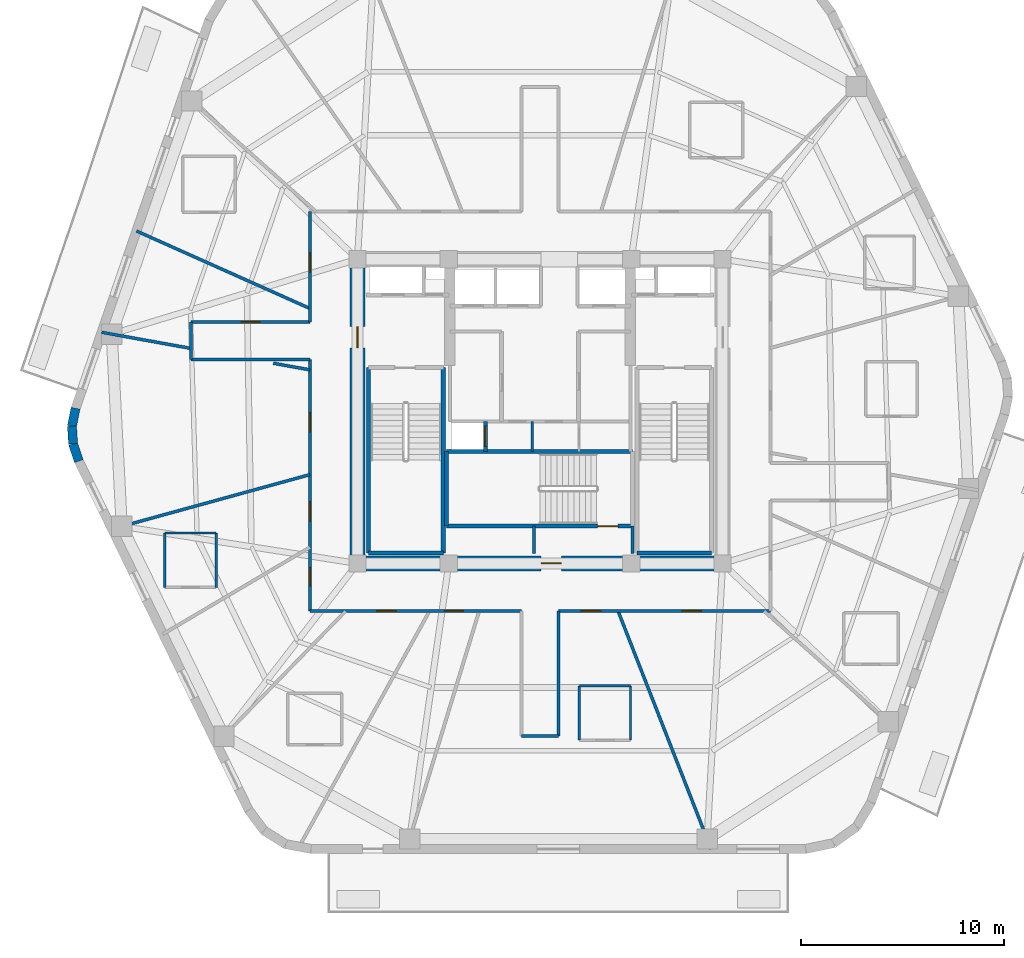
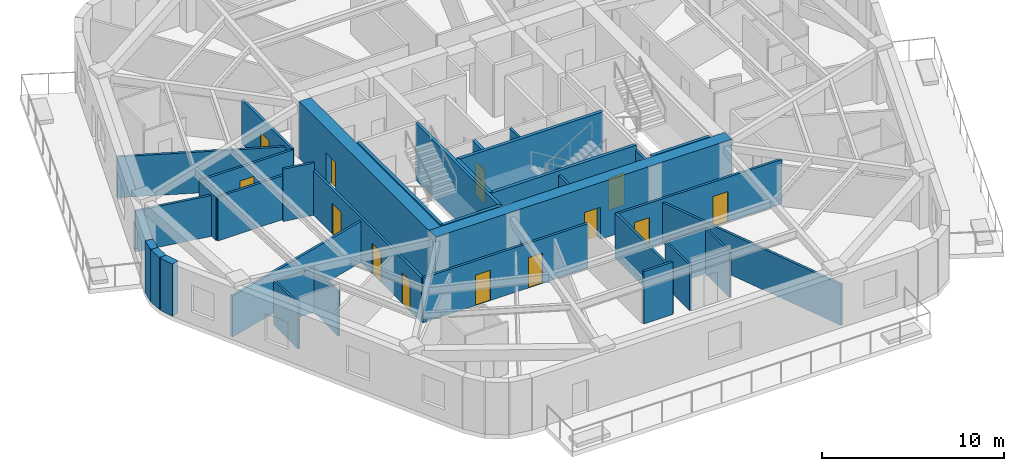
# One storey, part 3 of 9: 36 walls, 13 doors, 13 openings.
"""IFC4 building model written with IfcOpenShell, lengths in metres."""

import ifcopenshell
import ifcopenshell.guid

model = None  # the IFC model being written
_history = None  # IfcOwnerHistory: only IFC2X3 demands one
_inside = {}  # id of a spatial element -> (the spatial element, [elements in it])
_under = {}  # id of a project, library or spatial element -> (it, [spatial elements below it])
_declared = {}  # id of a project -> (the project, [libraries it declares])
_typed = {}  # id of a type object -> (the type object, [elements of that type])
_made_of = {}  # id of a material, layer set ... -> (it, [elements and type objects made of it])


def new_model(schema):
    """Start an empty IFC model of exactly this schema.

    Asked for "IFC4X3", IfcOpenShell would pick the latest addendum, in which some entities
    have other attributes; the version numbers below select the first issue.
    IFC2X3 requires an IfcOwnerHistory on every rooted entity: one is made here for all.
    """
    global model, _history
    if schema == "IFC4X3":
        model = ifcopenshell.file(schema_version=(4, 3, 0, 0))
    else:
        model = ifcopenshell.file(schema=schema)
    _inside.clear()
    _under.clear()
    _declared.clear()
    _typed.clear()
    _made_of.clear()
    _history = None
    if model.schema == "IFC2X3":
        org = make("IfcOrganization", Name="unknown")
        user = make(
            "IfcPersonAndOrganization",
            ThePerson=make("IfcPerson", FamilyName="unknown"),
            TheOrganization=org,
        )
        app = make(
            "IfcApplication",
            ApplicationDeveloper=org,
            Version="unknown",
            ApplicationFullName="unknown",
            ApplicationIdentifier="unknown",
        )
        _history = make(
            "IfcOwnerHistory",
            OwningUser=user,
            OwningApplication=app,
            ChangeAction="ADDED",
            CreationDate=0,
        )
    return model


def make(cls, **values):
    """One entity of the class cls with the attributes given. An attribute that is None is left unset."""
    return model.create_entity(
        cls, **{name: value for name, value in values.items() if value is not None}
    )


def rooted(cls, **values):
    """An entity with a GlobalId (a new one), such as an element, a storey or a relation."""
    return make(cls, GlobalId=ifcopenshell.guid.new(), OwnerHistory=_history, **values)


def si_unit(unit_type, name, prefix=None):
    """IfcSIUnit, for example si_unit("LENGTHUNIT", "METRE", prefix="MILLI")."""
    return make("IfcSIUnit", UnitType=unit_type, Prefix=prefix, Name=name)


def assignment(units):
    """IfcUnitAssignment: the units of a project."""
    return None if units is None else make("IfcUnitAssignment", Units=units)


def point(xyz):
    """IfcCartesianPoint."""
    return None if xyz is None else make("IfcCartesianPoint", Coordinates=xyz)


def direction(xyz):
    """IfcDirection."""
    return None if xyz is None else make("IfcDirection", DirectionRatios=xyz)


def frame(location, z_axis=None, x_axis=None):
    """IfcAxis2Placement3D, a coordinate frame: its origin and axes. An axis left out is left unset."""
    return make(
        "IfcAxis2Placement3D",
        Location=point(location),
        Axis=direction(z_axis),
        RefDirection=direction(x_axis),
    )


def frame_2d(location, x_axis=None):
    """IfcAxis2Placement2D, a coordinate frame in the plane: its origin and x axis."""
    return make(
        "IfcAxis2Placement2D", Location=point(location), RefDirection=direction(x_axis)
    )


def origin():
    """The frame at (0, 0, 0) with its axes left unset."""
    return frame((0.0, 0.0, 0.0))


def place(relative_to, where):
    """IfcLocalPlacement: puts the frame where relative to a parent placement (None: the world)."""
    return make(
        "IfcLocalPlacement", PlacementRelTo=relative_to, RelativePlacement=where
    )


def context(
    kind, dimensions, precision=None, world=None, true_north=None, identifier=None
):
    """IfcGeometricRepresentationContext, for example the 3D "Model" context."""
    return make(
        "IfcGeometricRepresentationContext",
        ContextIdentifier=identifier,
        ContextType=kind,
        CoordinateSpaceDimension=dimensions,
        Precision=precision,
        WorldCoordinateSystem=world,
        TrueNorth=true_north,
    )


def subcontext(parent, identifier, kind, view, scale=None):
    """IfcGeometricRepresentationSubContext, for example "Body" below "Model"."""
    return make(
        "IfcGeometricRepresentationSubContext",
        ContextIdentifier=identifier,
        ContextType=kind,
        ParentContext=parent,
        TargetScale=scale,
        TargetView=view,
    )


def project(units=None, contexts=None):
    """IfcProject with its units and contexts."""
    return rooted(
        "IfcProject",
        Name="project",
        RepresentationContexts=contexts,
        UnitsInContext=assignment(units),
    )


def spatial(cls, under=None, at=None, **own):
    """A site, building, storey or space (cls), placed at a placement, below another one or the project."""
    s = rooted(cls, ObjectPlacement=at, **own)
    if under is not None:
        _under.setdefault(under.id(), (under, []))[1].append(s)
    return s


def profile(cls, at=None, kind="AREA", **sizes):
    """A parametric profile (cls). Its sizes go by their IFC names, for example OverallWidth=200.0."""
    return make(cls, ProfileType=kind, Position=at, **sizes)


def rectangle(**sizes):
    """IfcRectangleProfileDef."""
    return profile("IfcRectangleProfileDef", **sizes)


def extrude(swept, where, along, depth):
    """IfcExtrudedAreaSolid: the profile swept, set in the frame where, extruded along a direction by depth."""
    return make(
        "IfcExtrudedAreaSolid",
        SweptArea=swept,
        Position=where,
        ExtrudedDirection=direction(along),
        Depth=depth,
    )


def shape(context_of_items, identifier, shape_type, items):
    """IfcShapeRepresentation: the items that make up one representation, for example the "Body"."""
    return make(
        "IfcShapeRepresentation",
        ContextOfItems=context_of_items,
        RepresentationIdentifier=identifier,
        RepresentationType=shape_type,
        Items=items,
    )


def material(Name=None, Category=None):
    """IfcMaterial."""
    return make("IfcMaterial", Name=Name, Category=Category)


def layer(
    of_material, thickness, ventilated=None, Name=None, Category=None, Priority=None
):
    """IfcMaterialLayer: one layer of a wall or slab, of a material (None: an air gap)."""
    return make(
        "IfcMaterialLayer",
        Material=of_material,
        LayerThickness=thickness,
        IsVentilated=ventilated,
        Name=Name,
        Category=Category,
        Priority=Priority,
    )


def layer_set(layers, Name=None):
    """IfcMaterialLayerSet."""
    return make("IfcMaterialLayerSet", MaterialLayers=layers, LayerSetName=Name)


def made_of(thing, what):
    """Note that an element or type object is made of a material, layer set ...; save() writes the relation."""
    if what is not None:
        _made_of.setdefault(what.id(), (what, []))[1].append(thing)
    return thing


def type_object(cls, material=None, **own):
    """A type object (cls), such as IfcWallType, which elements share."""
    return made_of(rooted(cls, **own), material)


def element(
    cls,
    number,
    at=None,
    inside=None,
    cuts=None,
    type_object=None,
    material=None,
    context=None,
    identifier="Body",
    shape_type=None,
    held_by="IfcProductDefinitionShape",
    body=None,
    shapes=None,
    **own,
):
    """One element of the class cls, such as IfcWall. Its Tag is "e" and its number.

    at: its placement. inside: the storey or other place that contains it. cuts: it is an
    opening in that element (IfcRelVoidsElement). A single representation is given by context,
    identifier, shape_type and body (its items); several are given by shapes. held_by: the class
    of the entity that holds the representations. save() writes the other relations.
    """
    e = rooted(cls, Tag="e%d" % number, ObjectPlacement=at, **own)
    if body is not None:
        shapes = [shape(context, identifier, shape_type, body)]
    if shapes is not None:
        e.Representation = make(held_by, Representations=shapes)
    if inside is not None:
        _inside.setdefault(inside.id(), (inside, []))[1].append(e)
    if cuts is not None:
        rooted(
            "IfcRelVoidsElement", RelatingBuildingElement=cuts, RelatedOpeningElement=e
        )
    if type_object is not None:
        _typed.setdefault(type_object.id(), (type_object, []))[1].append(e)
    return made_of(e, material)


def fill(opening, filler):
    """IfcRelFillsElement: the door or window that sits in an opening."""
    return rooted(
        "IfcRelFillsElement",
        RelatingOpeningElement=opening,
        RelatedBuildingElement=filler,
    )


def aggregate(whole, parts):
    """IfcRelAggregates: a whole, such as a stair, and the parts it consists of."""
    return rooted("IfcRelAggregates", RelatingObject=whole, RelatedObjects=parts)


def save(model, path):
    """Write the relations noted so far, then the file.

    IfcRelAggregates (storeys below a building ...), IfcRelContainedInSpatialStructure (elements
    in a storey), IfcRelDefinesByType, IfcRelAssociatesMaterial and IfcRelDeclares: one each for
    every whole, place, type object, material and project.
    """
    for whole, parts in _under.values():
        aggregate(whole, parts)
    for where, things in _inside.values():
        rooted(
            "IfcRelContainedInSpatialStructure",
            RelatedElements=things,
            RelatingStructure=where,
        )
    for kind, things in _typed.values():
        rooted("IfcRelDefinesByType", RelatedObjects=things, RelatingType=kind)
    for what, things in _made_of.values():
        rooted("IfcRelAssociatesMaterial", RelatedObjects=things, RelatingMaterial=what)
    for by, libraries in _declared.values():
        rooted("IfcRelDeclares", RelatingContext=by, RelatedDefinitions=libraries)
    model.write(path)


model = new_model("IFC4")

# Units and contexts
model_context = context("Model", 3, precision=1e-05, world=origin(), true_north=direction((0.0, 1.0)))
body_context = subcontext(model_context, "Body", "Model", "MODEL_VIEW")
ifc_project = project(units=[si_unit("LENGTHUNIT", "METRE"), si_unit("AREAUNIT", "SQUARE_METRE"), si_unit("VOLUMEUNIT", "CUBIC_METRE"), si_unit("PLANEANGLEUNIT", "RADIAN"), si_unit("MASSUNIT", "GRAM", prefix="KILO")], contexts=[model_context])

# Site, building, storey
site_placement = place(None, origin())
site = spatial("IfcSite", under=ifc_project, at=site_placement, CompositionType="ELEMENT")
building_placement = place(site_placement, origin())
building = spatial("IfcBuilding", under=site, at=building_placement, Name="Kilnhurst Terrace Hotel", CompositionType="ELEMENT")
storey_placement = place(building_placement, frame((0.0, 0.0, 221.699951171875)))
storey = spatial("IfcBuildingStorey", under=building, at=storey_placement, Name="L55", CompositionType="ELEMENT", Elevation=221.699951171875)

# Walls
ifc_material_1 = material(Name="Precast concrete C40/50", Category="concrete")
ifc_layer_1 = layer(ifc_material_1, 0.449951171875, Name="Precast concrete C40/50")
ifc_layer_set_1 = layer_set([ifc_layer_1], Name="Precast concrete C40/50")
wall_type_1 = type_object("IfcWallType", Name="WL-BRK-450", PredefinedType="SOLIDWALL", material=ifc_layer_set_1)
wall_1_placement = place(storey_placement, frame((-22.8984375, 0.149658203125, 0.0), z_axis=(0.0, 0.0, 1.0), x_axis=(-0.199055826889, -0.979988151858, 0.0)))
element("IfcWall", 1, at=wall_1_placement, inside=storey, type_object=wall_type_1, Name="L55 Rounded Corner Brick Wall C6.1", PredefinedType="SOLIDWALL", context=body_context, shape_type="SweptSolid", body=[
    extrude(rectangle(XDim=0.89404296875, YDim=0.449951171875, at=frame_2d((0.447021484375, 0.0))), origin(), (0.0, 0.0, 1.0), 3.5),
])
wall_2_placement = place(storey_placement, frame((-23.076416015625, -0.7265625, 0.0), z_axis=(0.0, 0.0, 1.0), x_axis=(0.060805222108, -0.998149650586, 0.0)))
element("IfcWall", 2, at=wall_2_placement, inside=storey, type_object=wall_type_1, Name="L55 Rounded Corner Brick Wall C6.2", PredefinedType="SOLIDWALL", context=body_context, shape_type="SweptSolid", body=[
    extrude(rectangle(XDim=0.87939453125, YDim=0.449951171875, at=frame_2d((0.439697265625, 0.0))), origin(), (0.0, 0.0, 1.0), 3.5),
])
wall_3_placement = place(storey_placement, frame((-23.02294921875, -1.604248046875, 0.0), z_axis=(0.0, 0.0, 1.0), x_axis=(0.316801227695, -0.948491951537, 0.0)))
element("IfcWall", 3, at=wall_3_placement, inside=storey, type_object=wall_type_1, Name="L55 Rounded Corner Brick Wall C6.3", PredefinedType="SOLIDWALL", context=body_context, shape_type="SweptSolid", body=[
    extrude(rectangle(XDim=0.89404296875, YDim=0.449951171875, at=frame_2d((0.447021484375, 0.0))), origin(), (0.0, 0.0, 1.0), 3.5),
])

# Wall, openings, doors
ifc_material_2 = material(Name="Acoustic Double-Gypsum Corridor Partition Assembly")
ifc_layer_2 = layer(ifc_material_2, 0.14990234375, Name="Acoustic Double-Gypsum Corridor Partition Assembly")
ifc_layer_set_2 = layer_set([ifc_layer_2], Name="Acoustic Double-Gypsum Corridor Partition Assembly")
wall_type_2 = type_object("IfcWallType", Name="WL-COR-150", PredefinedType="PARTITIONING", material=ifc_layer_set_2)
wall_4_placement = place(storey_placement, frame((-11.35009765625, -9.85009765625, 0.0), z_axis=(0.0, 0.0, 1.0), x_axis=(0.0, 1.0, 0.0)))
wall_4 = element("IfcWall", 4, at=wall_4_placement, inside=storey, type_object=wall_type_2, Name="L55 Interior Wall WL-L55-COR-01", PredefinedType="PARTITIONING", context=body_context, shape_type="SweptSolid", body=[
    extrude(rectangle(XDim=12.400146484375, YDim=0.14990234375, at=frame_2d((6.2001953125, 0.0))), origin(), (0.0, 0.0, 1.0), 2.989990234375),
])
opening_1_placement = place(wall_4_placement, frame((8.8349609375, 0.0, 0.0)))
opening_1 = element("IfcOpeningElement", 5, at=opening_1_placement, cuts=wall_4, Name="Opening D-60B", PredefinedType="OPENING", context=body_context, shape_type="SweptSolid", body=[
    extrude(rectangle(XDim=0.949951171875, YDim=2.030029296875, at=frame_2d((0.47509765625, 1.01513671875))), frame((0.0, 0.0849609375, 0.0), z_axis=(0.0, -1.0, 0.0), x_axis=(1.0, 0.0, 0.0)), (0.0, 0.0, 1.0), 0.169921875),
])
opening_2_placement = place(wall_4_placement, frame((4.443115234375, 0.0, 0.0)))
opening_2 = element("IfcOpeningElement", 6, at=opening_2_placement, cuts=wall_4, Name="Opening D-60B", PredefinedType="OPENING", context=body_context, shape_type="SweptSolid", body=[
    extrude(rectangle(XDim=0.949951171875, YDim=2.030029296875, at=frame_2d((0.47509765625, 1.01513671875))), frame((0.0, 0.0849609375, 0.0), z_axis=(0.0, -1.0, 0.0), x_axis=(1.0, 0.0, 0.0)), (0.0, 0.0, 1.0), 0.169921875),
])
opening_3_placement = place(wall_4_placement, frame((1.241943359375, 0.0, 0.0)))
opening_3 = element("IfcOpeningElement", 7, at=opening_3_placement, cuts=wall_4, Name="Opening D-60C", PredefinedType="OPENING", context=body_context, shape_type="SweptSolid", body=[
    extrude(rectangle(XDim=0.89990234375, YDim=2.030029296875, at=frame_2d((0.449951171875, 1.01513671875))), frame((0.0, 0.0849609375, 0.0), z_axis=(0.0, -1.0, 0.0), x_axis=(1.0, 0.0, 0.0)), (0.0, 0.0, 1.0), 0.169921875),
])
ifc_material_3 = material(Name="Painted Solid-Core Service Fire Door")
door_type_1 = type_object("IfcDoorType", Name="DR-FD60-900", OperationType="NOTDEFINED", PredefinedType="DOOR", material=ifc_material_3)
door_1_placement = place(opening_3_placement, origin())
door_1 = element("IfcDoor", 8, at=door_1_placement, inside=storey, type_object=door_type_1, Name="L55 Private Tasting Dining Room Door 11", OperationType="SINGLE_SWING_LEFT", OverallHeight=2.030029296875, OverallWidth=0.89990234375, PredefinedType="DOOR", context=body_context, shape_type="SweptSolid", body=[
    extrude(rectangle(XDim=0.89990234375, YDim=2.030029296875, at=frame_2d((0.449951171875, 1.01513671875))), frame((0.0, 0.02490234375, 0.0), z_axis=(0.0, -1.0, 0.0), x_axis=(1.0, 0.0, 0.0)), (0.0, 0.0, 1.0), 0.050048828125),
])
fill(opening_3, door_1)
ifc_material_4 = material(Name="Acoustic Walnut Veneer Solid-Core Fire Door")
door_type_2 = type_object("IfcDoorType", Name="DR-FD60-950", OperationType="NOTDEFINED", PredefinedType="DOOR", material=ifc_material_4)
door_2_placement = place(opening_1_placement, origin())
door_2 = element("IfcDoor", 9, at=door_2_placement, inside=storey, type_object=door_type_2, Name="L55 Fitness Studio Door", OperationType="SINGLE_SWING_LEFT", OverallHeight=2.030029296875, OverallWidth=0.949951171875, PredefinedType="DOOR", context=body_context, shape_type="SweptSolid", body=[
    extrude(rectangle(XDim=0.949951171875, YDim=2.030029296875, at=frame_2d((0.47509765625, 1.01513671875))), frame((0.0, 0.02490234375, 0.0), z_axis=(0.0, -1.0, 0.0), x_axis=(1.0, 0.0, 0.0)), (0.0, 0.0, 1.0), 0.050048828125),
])
fill(opening_1, door_2)
door_3_placement = place(opening_2_placement, origin())
door_3 = element("IfcDoor", 10, at=door_3_placement, inside=storey, type_object=door_type_2, Name="L55 Guest Room Entry Door 10", OperationType="SINGLE_SWING_RIGHT", OverallHeight=2.030029296875, OverallWidth=0.949951171875, PredefinedType="DOOR", context=body_context, shape_type="SweptSolid", body=[
    extrude(rectangle(XDim=0.949951171875, YDim=2.030029296875, at=frame_2d((0.47509765625, 1.01513671875))), frame((0.0, 0.02490234375, 0.0), z_axis=(0.0, -1.0, 0.0), x_axis=(1.0, 0.0, 0.0)), (0.0, 0.0, 1.0), 0.050048828125),
])
fill(opening_2, door_3)

# Walls
wall_5_placement = place(storey_placement, frame((-11.35009765625, 2.550048828125, 0.0), z_axis=(0.0, 0.0, 1.0), x_axis=(-1.0, 0.0, 0.0)))
element("IfcWall", 11, at=wall_5_placement, inside=storey, type_object=wall_type_2, Name="L55 Interior Wall WL-L55-COR-02", PredefinedType="PARTITIONING", context=body_context, shape_type="SweptSolid", body=[
    extrude(rectangle(XDim=5.849853515625, YDim=0.14990234375, at=frame_2d((2.9248046875, 0.0))), origin(), (0.0, 0.0, 1.0), 2.9404296875),
])
wall_6_placement = place(storey_placement, frame((-17.199951171875, 2.550048828125, 0.0), z_axis=(0.0, 0.0, 1.0), x_axis=(0.0, 1.0, 0.0)))
element("IfcWall", 12, at=wall_6_placement, inside=storey, type_object=wall_type_2, Name="L55 Interior Wall WL-L55-COR-03", PredefinedType="PARTITIONING", context=body_context, shape_type="SweptSolid", body=[
    extrude(rectangle(XDim=1.849853515625, YDim=0.14990234375, at=frame_2d((0.9248046875, 0.0))), origin(), (0.0, 0.0, 1.0), 2.9404296875),
])

# Wall, opening, door
wall_7_placement = place(storey_placement, frame((-17.199951171875, 4.39990234375, 0.0), z_axis=(0.0, 0.0, 1.0), x_axis=(1.0, 0.0, 0.0)))
wall_7 = element("IfcWall", 13, at=wall_7_placement, inside=storey, type_object=wall_type_2, Name="L55 Interior Wall WL-L55-COR-04", PredefinedType="PARTITIONING", context=body_context, shape_type="SweptSolid", body=[
    extrude(rectangle(XDim=5.849853515625, YDim=0.14990234375, at=frame_2d((2.9248046875, 0.0))), origin(), (0.0, 0.0, 1.0), 2.9404296875),
])
opening_4_placement = place(wall_7_placement, frame((2.47509765625, 0.0, 0.0)))
opening_4 = element("IfcOpeningElement", 14, at=opening_4_placement, cuts=wall_7, Name="Opening D-60C", PredefinedType="OPENING", context=body_context, shape_type="SweptSolid", body=[
    extrude(rectangle(XDim=0.89990234375, YDim=2.030029296875, at=frame_2d((0.449951171875, 1.01513671875))), frame((0.0, 0.0849609375, 0.0), z_axis=(0.0, -1.0, 0.0), x_axis=(1.0, 0.0, 0.0)), (0.0, 0.0, 1.0), 0.169921875),
])
door_4_placement = place(opening_4_placement, origin())
door_4 = element("IfcDoor", 15, at=door_4_placement, inside=storey, type_object=door_type_1, Name="L55 Wellness Consultation Room Door 8", OperationType="SINGLE_SWING_RIGHT", OverallHeight=2.030029296875, OverallWidth=0.89990234375, PredefinedType="DOOR", context=body_context, shape_type="SweptSolid", body=[
    extrude(rectangle(XDim=0.89990234375, YDim=2.030029296875, at=frame_2d((0.449951171875, 1.01513671875))), frame((0.0, 0.02490234375, 0.0), z_axis=(0.0, -1.0, 0.0), x_axis=(1.0, 0.0, 0.0)), (0.0, 0.0, 1.0), 0.050048828125),
])
fill(opening_4, door_4)

wall_8_placement = place(storey_placement, frame((-11.35009765625, 4.39990234375, 0.0), z_axis=(0.0, 0.0, 1.0), x_axis=(0.0, 1.0, 0.0)))
wall_8 = element("IfcWall", 16, at=wall_8_placement, inside=storey, type_object=wall_type_2, Name="L55 Interior Wall WL-L55-COR-05", PredefinedType="PARTITIONING", context=body_context, shape_type="SweptSolid", body=[
    extrude(rectangle(XDim=5.4501953125, YDim=0.14990234375, at=frame_2d((2.72509765625, 0.0))), origin(), (0.0, 0.0, 1.0), 2.989990234375),
])
opening_5_placement = place(wall_8_placement, frame((2.466064453125, 0.0, 0.0)))
opening_5 = element("IfcOpeningElement", 17, at=opening_5_placement, cuts=wall_8, Name="Opening D-60B", PredefinedType="OPENING", context=body_context, shape_type="SweptSolid", body=[
    extrude(rectangle(XDim=0.949951171875, YDim=2.030029296875, at=frame_2d((0.47509765625, 1.01513671875))), frame((0.0, 0.0849609375, 0.0), z_axis=(0.0, -1.0, 0.0), x_axis=(1.0, 0.0, 0.0)), (0.0, 0.0, 1.0), 0.169921875),
])
door_5_placement = place(opening_5_placement, origin())
door_5 = element("IfcDoor", 18, at=door_5_placement, inside=storey, type_object=door_type_2, Name="L55 Guest Room Entry Door 7", OperationType="SINGLE_SWING_LEFT", OverallHeight=2.030029296875, OverallWidth=0.949951171875, PredefinedType="DOOR", context=body_context, shape_type="SweptSolid", body=[
    extrude(rectangle(XDim=0.949951171875, YDim=2.030029296875, at=frame_2d((0.47509765625, 1.01513671875))), frame((0.0, 0.02490234375, 0.0), z_axis=(0.0, -1.0, 0.0), x_axis=(1.0, 0.0, 0.0)), (0.0, 0.0, 1.0), 0.050048828125),
])
fill(opening_5, door_5)

# Wall, openings, doors
wall_9_placement = place(storey_placement, frame((11.35009765625, -9.85009765625, 0.0), z_axis=(0.0, 0.0, 1.0), x_axis=(-1.0, 0.0, 0.0)))
wall_9 = element("IfcWall", 19, at=wall_9_placement, inside=storey, type_object=wall_type_2, Name="L55 Interior Wall WL-L55-COR-16", PredefinedType="PARTITIONING", context=body_context, shape_type="SweptSolid", body=[
    extrude(rectangle(XDim=10.43017578125, YDim=0.14990234375, at=frame_2d((5.215087890625, 0.0))), origin(), (0.0, 0.0, 1.0), 2.989990234375),
])
opening_6_placement = place(wall_9_placement, frame((8.362060546875, 0.0, 0.0)))
opening_6 = element("IfcOpeningElement", 20, at=opening_6_placement, cuts=wall_9, Name="Opening D-60B", PredefinedType="OPENING", context=body_context, shape_type="SweptSolid", body=[
    extrude(rectangle(XDim=0.949951171875, YDim=2.030029296875, at=frame_2d((0.47509765625, 1.01513671875))), frame((0.0, 0.0849609375, 0.0), z_axis=(0.0, -1.0, 0.0), x_axis=(1.0, 0.0, 0.0)), (0.0, 0.0, 1.0), 0.169921875),
])
opening_7_placement = place(wall_9_placement, frame((3.39599609375, 0.0, 0.0)))
opening_7 = element("IfcOpeningElement", 21, at=opening_7_placement, cuts=wall_9, Name="Opening D-60B", PredefinedType="OPENING", context=body_context, shape_type="SweptSolid", body=[
    extrude(rectangle(XDim=0.949951171875, YDim=2.030029296875, at=frame_2d((0.47509765625, 1.01513671875))), frame((0.0, 0.0849609375, 0.0), z_axis=(0.0, -1.0, 0.0), x_axis=(1.0, 0.0, 0.0)), (0.0, 0.0, 1.0), 0.169921875),
])
door_6_placement = place(opening_6_placement, origin())
door_6 = element("IfcDoor", 22, at=door_6_placement, inside=storey, type_object=door_type_2, Name="L55 Executive Suite Entry Door 14", OperationType="SINGLE_SWING_RIGHT", OverallHeight=2.030029296875, OverallWidth=0.949951171875, PredefinedType="DOOR", context=body_context, shape_type="SweptSolid", body=[
    extrude(rectangle(XDim=0.949951171875, YDim=2.030029296875, at=frame_2d((0.47509765625, 1.01513671875))), frame((0.0, 0.02490234375, 0.0), z_axis=(0.0, -1.0, 0.0), x_axis=(1.0, 0.0, 0.0)), (0.0, 0.0, 1.0), 0.050048828125),
])
fill(opening_6, door_6)
door_7_placement = place(opening_7_placement, origin())
door_7 = element("IfcDoor", 23, at=door_7_placement, inside=storey, type_object=door_type_2, Name="L55 Reading Study Door", OperationType="SINGLE_SWING_LEFT", OverallHeight=2.030029296875, OverallWidth=0.949951171875, PredefinedType="DOOR", context=body_context, shape_type="SweptSolid", body=[
    extrude(rectangle(XDim=0.949951171875, YDim=2.030029296875, at=frame_2d((0.47509765625, 1.01513671875))), frame((0.0, 0.02490234375, 0.0), z_axis=(0.0, -1.0, 0.0), x_axis=(1.0, 0.0, 0.0)), (0.0, 0.0, 1.0), 0.050048828125),
])
fill(opening_7, door_7)

# Walls
wall_10_placement = place(storey_placement, frame((0.919921875, -9.85009765625, 0.0), z_axis=(0.0, 0.0, 1.0), x_axis=(0.0, -1.0, 0.0)))
element("IfcWall", 24, at=wall_10_placement, inside=storey, type_object=wall_type_2, Name="L55 Interior Wall WL-L55-COR-17", PredefinedType="PARTITIONING", context=body_context, shape_type="SweptSolid", body=[
    extrude(rectangle(XDim=6.14990234375, YDim=0.14990234375, at=frame_2d((3.074951171875, 0.0))), origin(), (0.0, 0.0, 1.0), 3.026611328125),
])
wall_11_placement = place(storey_placement, frame((0.919921875, -16.0, 0.0), z_axis=(0.0, 0.0, 1.0), x_axis=(-1.0, 0.0, 0.0)))
element("IfcWall", 25, at=wall_11_placement, inside=storey, type_object=wall_type_2, Name="L55 Interior Wall WL-L55-COR-18", PredefinedType="PARTITIONING", context=body_context, shape_type="SweptSolid", body=[
    extrude(rectangle(XDim=1.83984375, YDim=0.14990234375, at=frame_2d((0.919921875, 0.0))), origin(), (0.0, 0.0, 1.0), 3.5),
])

# Wall, openings, doors
wall_12_placement = place(storey_placement, frame((-0.919921875, -9.85009765625, 0.0), z_axis=(0.0, 0.0, 1.0), x_axis=(-1.0, 0.0, 0.0)))
wall_12 = element("IfcWall", 26, at=wall_12_placement, inside=storey, type_object=wall_type_2, Name="L55 Interior Wall WL-L55-COR-20", PredefinedType="PARTITIONING", context=body_context, shape_type="SweptSolid", body=[
    extrude(rectangle(XDim=10.43017578125, YDim=0.14990234375, at=frame_2d((5.215087890625, 0.0))), origin(), (0.0, 0.0, 1.0), 2.989990234375),
])
opening_8_placement = place(wall_12_placement, frame((6.172119140625, 0.0, 0.0)))
opening_8 = element("IfcOpeningElement", 27, at=opening_8_placement, cuts=wall_12, Name="Opening D-60B", PredefinedType="OPENING", context=body_context, shape_type="SweptSolid", body=[
    extrude(rectangle(XDim=0.949951171875, YDim=2.030029296875, at=frame_2d((0.47509765625, 1.01513671875))), frame((0.0, 0.0849609375, 0.0), z_axis=(0.0, -1.0, 0.0), x_axis=(1.0, 0.0, 0.0)), (0.0, 0.0, 1.0), 0.169921875),
])
opening_9_placement = place(wall_12_placement, frame((2.875, 0.0, 0.0)))
opening_9 = element("IfcOpeningElement", 28, at=opening_9_placement, cuts=wall_12, Name="Opening D-60C", PredefinedType="OPENING", context=body_context, shape_type="SweptSolid", body=[
    extrude(rectangle(XDim=0.89990234375, YDim=2.030029296875, at=frame_2d((0.449951171875, 1.01513671875))), frame((0.0, 0.0849609375, 0.0), z_axis=(0.0, -1.0, 0.0), x_axis=(1.0, 0.0, 0.0)), (0.0, 0.0, 1.0), 0.169921875),
])
door_8_placement = place(opening_9_placement, origin())
door_8 = element("IfcDoor", 29, at=door_8_placement, inside=storey, type_object=door_type_1, Name="L55 Executive Work Office Door 13", OperationType="SINGLE_SWING_LEFT", OverallHeight=2.030029296875, OverallWidth=0.89990234375, PredefinedType="DOOR", context=body_context, shape_type="SweptSolid", body=[
    extrude(rectangle(XDim=0.89990234375, YDim=2.030029296875, at=frame_2d((0.449951171875, 1.01513671875))), frame((0.0, 0.02490234375, 0.0), z_axis=(0.0, -1.0, 0.0), x_axis=(1.0, 0.0, 0.0)), (0.0, 0.0, 1.0), 0.050048828125),
])
fill(opening_9, door_8)
door_9_placement = place(opening_8_placement, origin())
door_9 = element("IfcDoor", 30, at=door_9_placement, inside=storey, type_object=door_type_2, Name="L55 Guest Room Entry Door 12", OperationType="SINGLE_SWING_RIGHT", OverallHeight=2.030029296875, OverallWidth=0.949951171875, PredefinedType="DOOR", context=body_context, shape_type="SweptSolid", body=[
    extrude(rectangle(XDim=0.949951171875, YDim=2.030029296875, at=frame_2d((0.47509765625, 1.01513671875))), frame((0.0, 0.02490234375, 0.0), z_axis=(0.0, -1.0, 0.0), x_axis=(1.0, 0.0, 0.0)), (0.0, 0.0, 1.0), 0.050048828125),
])
fill(opening_8, door_9)

# Wall, opening, door
ifc_material_5 = material(Name="Concrete C60/75", Category="concrete")
ifc_layer_3 = layer(ifc_material_5, 0.75, Name="Concrete C60/75")
ifc_layer_set_3 = layer_set([ifc_layer_3], Name="Concrete C60/75")
wall_type_3 = type_object("IfcWallType", Name="WL-CORE-750", PredefinedType="SHEAR", material=ifc_layer_set_3)
wall_13_placement = place(storey_placement, frame((-9.375, -7.5, 0.0), z_axis=(0.0, 0.0, 1.0), x_axis=(1.0, 0.0, 0.0)))
wall_13 = element("IfcWall", 31, at=wall_13_placement, inside=storey, type_object=wall_type_3, Name="L55 Core South Shear Wall", PredefinedType="SHEAR", context=body_context, shape_type="SweptSolid", body=[
    extrude(rectangle(XDim=18.75, YDim=0.75, at=frame_2d((9.375, 0.0))), origin(), (0.0, 0.0, 1.0), 3.800048828125),
])
opening_10_placement = place(wall_13_placement, frame((9.425048828125, 0.0, 0.0)))
opening_10 = element("IfcOpeningElement", 32, at=opening_10_placement, cuts=wall_13, Name="Opening D-90B", PredefinedType="OPENING", context=body_context, shape_type="SweptSolid", body=[
    extrude(rectangle(XDim=1.0, YDim=2.14990234375, at=frame_2d((0.5, 1.074951171875))), frame((0.0, 0.385009765625, 0.0), z_axis=(0.0, -1.0, 0.0), x_axis=(1.0, 0.0, 0.0)), (0.0, 0.0, 1.0), 0.77001953125),
])
ifc_material_6 = material(Name="Painted Hollow Metal Steel ASTM A36 Fire Door", Category="steel")
door_type_3 = type_object("IfcDoorType", Name="DR-FD90-1000", OperationType="NOTDEFINED", PredefinedType="DOOR", material=ifc_material_6)
door_10_placement = place(opening_10_placement, origin())
door_10 = element("IfcDoor", 33, at=door_10_placement, inside=storey, type_object=door_type_3, Name="L55 Stair ST-3 Corridor Door", OperationType="SINGLE_SWING_RIGHT", OverallHeight=2.14990234375, OverallWidth=1.0, PredefinedType="DOOR", context=body_context, shape_type="SweptSolid", body=[
    extrude(rectangle(XDim=1.0, YDim=2.14990234375, at=frame_2d((0.5, 1.074951171875))), frame((0.0, 0.02490234375, 0.0), z_axis=(0.0, -1.0, 0.0), x_axis=(1.0, 0.0, 0.0)), (0.0, 0.0, 1.0), 0.050048828125),
])
fill(opening_10, door_10)

wall_14_placement = place(storey_placement, frame((-9.0, -7.125, 0.0), z_axis=(0.0, 0.0, 1.0), x_axis=(0.0, 1.0, 0.0)))
wall_14 = element("IfcWall", 34, at=wall_14_placement, inside=storey, type_object=wall_type_3, Name="L55 Core West Shear Wall", PredefinedType="SHEAR", context=body_context, shape_type="SweptSolid", body=[
    extrude(rectangle(XDim=14.25, YDim=0.75, at=frame_2d((7.125, 0.0))), origin(), (0.0, 0.0, 1.0), 3.800048828125),
])
opening_11_placement = place(wall_14_placement, frame((10.25, 0.0, 0.0)))
opening_11 = element("IfcOpeningElement", 35, at=opening_11_placement, cuts=wall_14, Name="Opening D-90A", PredefinedType="OPENING", context=body_context, shape_type="SweptSolid", body=[
    extrude(rectangle(XDim=1.050048828125, YDim=2.14990234375, at=frame_2d((0.52490234375, 1.074951171875))), frame((0.0, 0.385009765625, 0.0), z_axis=(0.0, -1.0, 0.0), x_axis=(1.0, 0.0, 0.0)), (0.0, 0.0, 1.0), 0.77001953125),
])
door_type_4 = type_object("IfcDoorType", Name="DR-FD90-1050", OperationType="NOTDEFINED", PredefinedType="DOOR", material=ifc_material_6)
door_11_placement = place(opening_11_placement, origin())
door_11 = element("IfcDoor", 36, at=door_11_placement, inside=storey, type_object=door_type_4, Name="L55 West Firefighting Lobby Door", OperationType="SINGLE_SWING_RIGHT", OverallHeight=2.14990234375, OverallWidth=1.050048828125, PredefinedType="DOOR", context=body_context, shape_type="SweptSolid", body=[
    extrude(rectangle(XDim=1.050048828125, YDim=2.14990234375, at=frame_2d((0.52490234375, 1.074951171875))), frame((0.0, 0.02490234375, 0.0), z_axis=(0.0, -1.0, 0.0), x_axis=(1.0, 0.0, 0.0)), (0.0, 0.0, 1.0), 0.050048828125),
])
fill(opening_11, door_11)

# Walls
ifc_material_7 = material(Name="STC-58 Acoustic Twin-Frame Guestroom Demising Partition")
ifc_layer_4 = layer(ifc_material_7, 0.14990234375, Name="STC-58 Acoustic Twin-Frame Guestroom Demising Partition")
ifc_layer_set_4 = layer_set([ifc_layer_4], Name="STC-58 Acoustic Twin-Frame Guestroom Demising Partition")
wall_type_4 = type_object("IfcWallType", Name="WL-DEM-150", PredefinedType="PARTITIONING", material=ifc_layer_set_4)
wall_15_placement = place(storey_placement, frame((-11.35009765625, 5.072021484375, 0.0), z_axis=(0.0, 0.0, 1.0), x_axis=(-0.912980177983, 0.408003914944, 0.0)))
element("IfcWall", 37, at=wall_15_placement, inside=storey, type_object=wall_type_4, Name="L55 Interior Wall WL-L55-DEM-MID05-08-1", PredefinedType="PARTITIONING", context=body_context, shape_type="SweptSolid", body=[
    extrude(rectangle(XDim=9.358154296875, YDim=0.14990234375, at=frame_2d((4.67919921875, 0.0))), origin(), (0.0, 0.0, 1.0), 2.739990234375),
])
wall_16_placement = place(storey_placement, frame((-11.35009765625, 2.046142578125, 0.0), z_axis=(0.0, 0.0, 1.0), x_axis=(-0.984127783205, 0.177461281195, 0.0)))
element("IfcWall", 38, at=wall_16_placement, inside=storey, type_object=wall_type_4, Name="L55 Interior Wall WL-L55-DEM-COL06-09-1", PredefinedType="PARTITIONING", context=body_context, shape_type="SweptSolid", body=[
    extrude(rectangle(XDim=1.82568359375, YDim=0.14990234375, at=frame_2d((0.912841796875, 0.0))), origin(), (0.0, 0.0, 1.0), 3.5),
])
wall_17_placement = place(storey_placement, frame((-17.199951171875, 3.1005859375, 0.0), z_axis=(0.0, 0.0, 1.0), x_axis=(-0.98413465883, 0.177423147559, 0.0)))
element("IfcWall", 39, at=wall_17_placement, inside=storey, type_object=wall_type_4, Name="L55 Interior Wall WL-L55-DEM-COL06-09-2", PredefinedType="PARTITIONING", context=body_context, shape_type="SweptSolid", body=[
    extrude(rectangle(XDim=4.481689453125, YDim=0.14990234375, at=frame_2d((2.24072265625, 0.0))), origin(), (0.0, 0.0, 1.0), 2.739990234375),
])
wall_18_placement = place(storey_placement, frame((-11.35009765625, -3.12060546875, 0.0), z_axis=(0.0, 0.0, 1.0), x_axis=(-0.964212793822, -0.265129568758, 0.0)))
element("IfcWall", 40, at=wall_18_placement, inside=storey, type_object=wall_type_4, Name="L55 Interior Wall WL-L55-DEM-COL07-10-1", PredefinedType="PARTITIONING", context=body_context, shape_type="SweptSolid", body=[
    extrude(rectangle(XDim=10.119873046875, YDim=0.14990234375, at=frame_2d((5.06005859375, 0.0))), origin(), (0.0, 0.0, 1.0), 2.739990234375),
])
wall_19_placement = place(storey_placement, frame((3.848388671875, -9.85009765625, 0.0), z_axis=(0.0, 0.0, 1.0), x_axis=(0.363921778212, -0.931429513889, 0.0)))
element("IfcWall", 41, at=wall_19_placement, inside=storey, type_object=wall_type_4, Name="L55 Interior Wall WL-L55-DEM-COL10-15-1", PredefinedType="PARTITIONING", context=body_context, shape_type="SweptSolid", body=[
    extrude(rectangle(XDim=12.588134765625, YDim=0.14990234375, at=frame_2d((6.2939453125, 0.0))), origin(), (0.0, 0.0, 1.0), 2.739990234375),
])
ifc_material_8 = material(Name="120 mm Moisture-Resistant Tile-Backed Bathroom Partition")
ifc_layer_5 = layer(ifc_material_8, 0.1201171875, Name="120 mm Moisture-Resistant Tile-Backed Bathroom Partition")
ifc_layer_set_5 = layer_set([ifc_layer_5], Name="120 mm Moisture-Resistant Tile-Backed Bathroom Partition")
wall_type_5 = type_object("IfcWallType", Name="WL-PART-120", PredefinedType="PARTITIONING", material=ifc_layer_set_5)
wall_20_placement = place(storey_placement, frame((-0.3798828125, -1.971923828125, 0.0), z_axis=(0.0, 0.0, 1.0), x_axis=(0.0, 1.0, 0.0)))
element("IfcWall", 42, at=wall_20_placement, inside=storey, type_object=wall_type_5, Name="L55 Interior Wall WL-L55-BOH-C1", PredefinedType="PARTITIONING", context=body_context, shape_type="SweptSolid", body=[
    extrude(rectangle(XDim=1.471923828125, YDim=0.1201171875, at=frame_2d((0.73583984375, 0.0))), origin(), (0.0, 0.0, 1.0), 3.5),
])
wall_21_placement = place(storey_placement, frame((-15.971923828125, -8.678955078125, 0.0), z_axis=(0.0, 0.0, 1.0), x_axis=(0.0, 1.0, 0.0)))
element("IfcWall", 43, at=wall_21_placement, inside=storey, type_object=wall_type_5, Name="L55 Interior Wall WL-L55-BTH-10-2", PredefinedType="PARTITIONING", context=body_context, shape_type="SweptSolid", body=[
    extrude(rectangle(XDim=2.679931640625, YDim=0.1201171875, at=frame_2d((1.33984375, 0.0))), origin(), (0.0, 0.0, 1.0), 2.989990234375),
])
wall_22_placement = place(storey_placement, frame((-15.971923828125, -5.9990234375, 0.0), z_axis=(0.0, 0.0, 1.0), x_axis=(-1.0, 0.0, 0.0)))
element("IfcWall", 44, at=wall_22_placement, inside=storey, type_object=wall_type_5, Name="L55 Interior Wall WL-L55-BTH-10-3", PredefinedType="PARTITIONING", context=body_context, shape_type="SweptSolid", body=[
    extrude(rectangle(XDim=2.52001953125, YDim=0.1201171875, at=frame_2d((1.260009765625, 0.0))), origin(), (0.0, 0.0, 1.0), 2.9404296875),
])
wall_23_placement = place(storey_placement, frame((-18.491943359375, -5.9990234375, 0.0), z_axis=(0.0, 0.0, 1.0), x_axis=(0.0, -1.0, 0.0)))
element("IfcWall", 45, at=wall_23_placement, inside=storey, type_object=wall_type_5, Name="L55 Interior Wall WL-L55-BTH-10-4", PredefinedType="PARTITIONING", context=body_context, shape_type="SweptSolid", body=[
    extrude(rectangle(XDim=2.679931640625, YDim=0.1201171875, at=frame_2d((1.33984375, 0.0))), origin(), (0.0, 0.0, 1.0), 2.989990234375),
])
wall_24_placement = place(storey_placement, frame((4.4580078125, -16.215087890625, 0.0), z_axis=(0.0, 0.0, 1.0), x_axis=(0.0, 1.0, 0.0)))
element("IfcWall", 46, at=wall_24_placement, inside=storey, type_object=wall_type_5, Name="L55 Interior Wall WL-L55-BTH-14-2", PredefinedType="PARTITIONING", context=body_context, shape_type="SweptSolid", body=[
    extrude(rectangle(XDim=2.68017578125, YDim=0.1201171875, at=frame_2d((1.340087890625, 0.0))), origin(), (0.0, 0.0, 1.0), 3.026611328125),
])
wall_25_placement = place(storey_placement, frame((4.4580078125, -13.534912109375, 0.0), z_axis=(0.0, 0.0, 1.0), x_axis=(-1.0, 0.0, 0.0)))
element("IfcWall", 47, at=wall_25_placement, inside=storey, type_object=wall_type_5, Name="L55 Interior Wall WL-L55-BTH-14-3", PredefinedType="PARTITIONING", context=body_context, shape_type="SweptSolid", body=[
    extrude(rectangle(XDim=2.52001953125, YDim=0.1201171875, at=frame_2d((1.260009765625, 0.0))), origin(), (0.0, 0.0, 1.0), 3.026611328125),
])
wall_26_placement = place(storey_placement, frame((1.93798828125, -13.534912109375, 0.0), z_axis=(0.0, 0.0, 1.0), x_axis=(0.0, -1.0, 0.0)))
element("IfcWall", 48, at=wall_26_placement, inside=storey, type_object=wall_type_5, Name="L55 Interior Wall WL-L55-BTH-14-4", PredefinedType="PARTITIONING", context=body_context, shape_type="SweptSolid", body=[
    extrude(rectangle(XDim=2.68017578125, YDim=0.1201171875, at=frame_2d((1.340087890625, 0.0))), origin(), (0.0, 0.0, 1.0), 3.026611328125),
])
ifc_material_9 = material(Name="Fire-Rated Gypsum Shaftliner Assembly")
ifc_layer_6 = layer(ifc_material_9, 0.14990234375, Name="Fire-Rated Gypsum Shaftliner Assembly")
ifc_layer_set_6 = layer_set([ifc_layer_6], Name="Fire-Rated Gypsum Shaftliner Assembly")
wall_type_6 = type_object("IfcWallType", Name="WL-SHAFT-150", PredefinedType="PARTITIONING", material=ifc_layer_set_6)
for number, where, z_axis, x_axis, name in (
    (49, (-0.300048828125, -7.02001953125, 0.0), (0.0, 0.0, 1.0), (0.0, 1.0, 0.0), "L55 Interior Wall WL-L55-ST3-PSGW"),
    (50, (4.55810546875, -7.02001953125, 0.0), (0.0, 0.0, 1.0), (0.0, 1.0, 0.0), "L55 Interior Wall WL-L55-ST3-PSGE"),
):
    element("IfcWall", number, at=place(storey_placement, frame(where, z_axis=z_axis, x_axis=x_axis)), inside=storey, type_object=wall_type_6, Name=name, PredefinedType="PARTITIONING", context=body_context, shape_type="SweptSolid", body=[
        extrude(rectangle(XDim=1.362060546875, YDim=0.14990234375, at=frame_2d((0.68115234375, 0.0))), origin(), (0.0, 0.0, 1.0), 3.5),
    ])

# Wall, opening, door
ifc_material_10 = material(Name="Autoclaved Aerated Concrete C30/37 and Gypsum Shaft Assembly", Category="concrete")
ifc_layer_7 = layer(ifc_material_10, 0.199951171875, Name="Autoclaved Aerated Concrete C30/37 and Gypsum Shaft Assembly")
ifc_layer_set_7 = layer_set([ifc_layer_7], Name="Autoclaved Aerated Concrete C30/37 and Gypsum Shaft Assembly")
wall_type_7 = type_object("IfcWallType", Name="WL-SHAFT-200", PredefinedType="PARTITIONING", material=ifc_layer_set_7)
wall_27_placement = place(storey_placement, frame((-2.699951171875, -1.971923828125, 0.0), z_axis=(0.0, 0.0, 1.0), x_axis=(0.0, 1.0, 0.0)))
wall_27 = element("IfcWall", 51, at=wall_27_placement, inside=storey, type_object=wall_type_7, Name="L55 Interior Wall WL-L55-SRV1-E", PredefinedType="PARTITIONING", context=body_context, shape_type="SweptSolid", body=[
    extrude(rectangle(XDim=1.471923828125, YDim=0.199951171875, at=frame_2d((0.73583984375, 0.0))), origin(), (0.0, 0.0, 1.0), 3.5),
])
opening_12_placement = place(wall_27_placement, frame((0.239990234375, 0.0, 0.0)))
opening_12 = element("IfcOpeningElement", 52, at=opening_12_placement, cuts=wall_27, Name="Opening LD-SV", PredefinedType="OPENING", context=body_context, shape_type="SweptSolid", body=[
    extrude(rectangle(XDim=1.0, YDim=2.199951171875, at=frame_2d((0.5, 1.10009765625))), frame((0.0, 0.10986328125, 0.0), z_axis=(0.0, -1.0, 0.0), x_axis=(1.0, 0.0, 0.0)), (0.0, 0.0, 1.0), 0.219970703125),
])
ifc_material_11 = material(Name="Bronze-Anodized Stainless Steel AISI 316L Sliding Door", Category="steel")
door_type_5 = type_object("IfcDoorType", Name="DR-LIFT-1000", OperationType="NOTDEFINED", PredefinedType="DOOR", material=ifc_material_11)
door_12_placement = place(opening_12_placement, origin())
door_12 = element("IfcDoor", 53, at=door_12_placement, inside=storey, type_object=door_type_5, Name="L55 Service Lift SRV-1 Landing Door", OperationType="SLIDING_TO_LEFT", OverallHeight=2.199951171875, OverallWidth=1.0, PredefinedType="DOOR", context=body_context, shape_type="SweptSolid", body=[
    extrude(rectangle(XDim=1.0, YDim=2.199951171875, at=frame_2d((0.5, 1.10009765625))), frame((0.0, 0.02490234375, 0.0), z_axis=(0.0, -1.0, 0.0), x_axis=(1.0, 0.0, 0.0)), (0.0, 0.0, 1.0), 0.050048828125),
])
fill(opening_12, door_12)

# Walls
ifc_material_12 = material(Name="Concrete C50/60", Category="concrete")
ifc_layer_8 = layer(ifc_material_12, 0.199951171875, Name="Concrete C50/60")
ifc_layer_set_8 = layer_set([ifc_layer_8], Name="Concrete C50/60")
wall_type_8 = type_object("IfcWallType", Name="WL-STAIR-RC-200", PredefinedType="SHEAR", material=ifc_layer_set_8)
for number, where, z_axis, x_axis, name in (
    (54, (-8.4580078125, -6.985107421875, 0.0), (0.0, 0.0, 1.0), (0.0, 1.0, 0.0), "L55 Structural Stair Shaft Wall WL-L55-ST1-W"),
    (55, (-4.77197265625, -6.985107421875, 0.0), (0.0, 0.0, 1.0), (0.0, 1.0, 0.0), "L55 Structural Stair Shaft Wall WL-L55-ST1-E"),
):
    element("IfcWall", number, at=place(storey_placement, frame(where, z_axis=z_axis, x_axis=x_axis)), inside=storey, type_object=wall_type_8, Name=name, PredefinedType="SHEAR", context=body_context, shape_type="SweptSolid", body=[
        extrude(rectangle(XDim=9.14306640625, YDim=0.199951171875, at=frame_2d((4.571533203125, 0.0))), origin(), (0.0, 0.0, 1.0), 3.800048828125),
    ])
for number, where, z_axis, x_axis, name in (
    (56, (-8.4580078125, -6.985107421875, 0.0), (0.0, 0.0, 1.0), (1.0, 0.0, 0.0), "L55 Structural Stair Shaft Wall WL-L55-ST1-S"),
    (57, (4.77197265625, -6.985107421875, 0.0), (0.0, 0.0, 1.0), (1.0, 0.0, 0.0), "L55 Structural Stair Shaft Wall WL-L55-ST2-S"),
    (58, (-4.60791015625, -5.657958984375, 0.0), (0.0, 0.0, 1.0), (0.0, 1.0, 0.0), "L55 Structural Stair Shaft Wall WL-L55-ST3-W"),
):
    element("IfcWall", number, at=place(storey_placement, frame(where, z_axis=z_axis, x_axis=x_axis)), inside=storey, type_object=wall_type_8, Name=name, PredefinedType="SHEAR", context=body_context, shape_type="SweptSolid", body=[
        extrude(rectangle(XDim=3.68603515625, YDim=0.199951171875, at=frame_2d((1.843017578125, 0.0))), origin(), (0.0, 0.0, 1.0), 3.800048828125),
    ])

# Wall, opening, door
wall_28_placement = place(storey_placement, frame((-4.60791015625, -5.657958984375, 0.0), z_axis=(0.0, 0.0, 1.0), x_axis=(1.0, 0.0, 0.0)))
wall_28 = element("IfcWall", 59, at=wall_28_placement, inside=storey, type_object=wall_type_8, Name="L55 Structural Stair Shaft Wall WL-L55-ST3-S", PredefinedType="SHEAR", context=body_context, shape_type="SweptSolid", body=[
    extrude(rectangle(XDim=9.166015625, YDim=0.199951171875, at=frame_2d((4.5830078125, 0.0))), origin(), (0.0, 0.0, 1.0), 3.800048828125),
])
opening_13_placement = place(wall_28_placement, frame((7.449951171875, 0.0, 0.0)))
opening_13 = element("IfcOpeningElement", 60, at=opening_13_placement, cuts=wall_28, Name="Opening D-90B", PredefinedType="OPENING", context=body_context, shape_type="SweptSolid", body=[
    extrude(rectangle(XDim=1.0, YDim=2.14990234375, at=frame_2d((0.5, 1.074951171875))), frame((0.0, 0.10986328125, 0.0), z_axis=(0.0, -1.0, 0.0), x_axis=(1.0, 0.0, 0.0)), (0.0, 0.0, 1.0), 0.219970703125),
])
door_13_placement = place(opening_13_placement, origin())
door_13 = element("IfcDoor", 61, at=door_13_placement, inside=storey, type_object=door_type_3, Name="L55 Stair ST-3 Shaft Door", OperationType="SINGLE_SWING_LEFT", OverallHeight=2.14990234375, OverallWidth=1.0, PredefinedType="DOOR", context=body_context, shape_type="SweptSolid", body=[
    extrude(rectangle(XDim=1.0, YDim=2.14990234375, at=frame_2d((0.5, 1.074951171875))), frame((0.0, 0.02490234375, 0.0), z_axis=(0.0, -1.0, 0.0), x_axis=(1.0, 0.0, 0.0)), (0.0, 0.0, 1.0), 0.050048828125),
])
fill(opening_13, door_13)

# Wall
wall_29_placement = place(storey_placement, frame((-4.60791015625, -1.971923828125, 0.0), z_axis=(0.0, 0.0, 1.0), x_axis=(1.0, 0.0, 0.0)))
element("IfcWall", 62, at=wall_29_placement, inside=storey, type_object=wall_type_8, Name="L55 Structural Stair Shaft Wall WL-L55-ST3-N", PredefinedType="SHEAR", context=body_context, shape_type="SweptSolid", body=[
    extrude(rectangle(XDim=9.166015625, YDim=0.199951171875, at=frame_2d((4.5830078125, 0.0))), origin(), (0.0, 0.0, 1.0), 3.800048828125),
])

save(model, "model.ifc")
